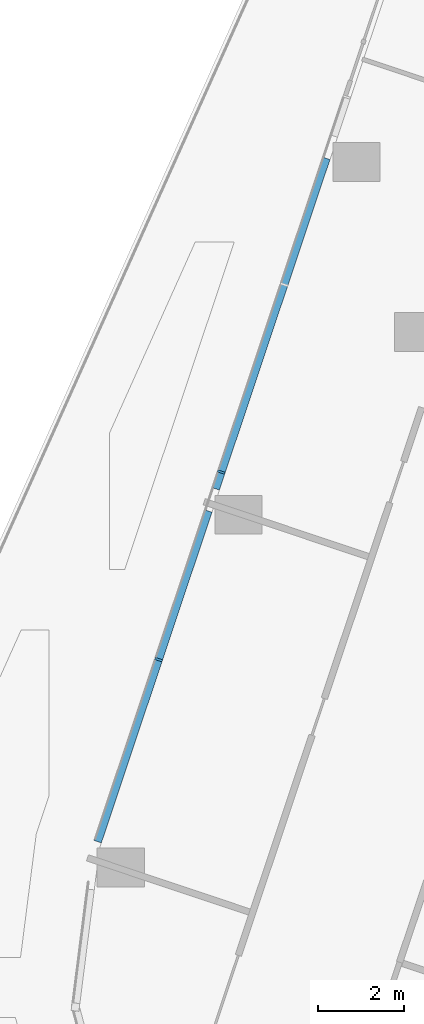
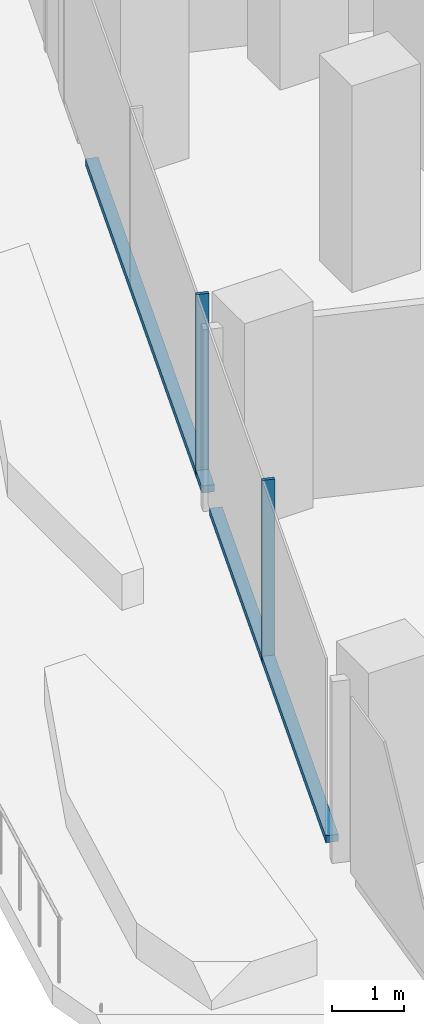
# One storey, part 4 of 34: 4 members, 1 element without a shape of its own.
"""IFC4 building model written with IfcOpenShell, lengths in metres."""

from ifc_helpers import new_model, si_unit, direction, frame, origin, origin_2d, place, context, subcontext, project, spatial, rectangle, extrude, material, material_profile, profile_set, type_object, element, aggregate, save


model = new_model("IFC4")

# Units and contexts
model_context = context("Model", 3, precision=1e-05, world=origin(), true_north=direction((0.0, 1.0)))
body_context = subcontext(model_context, "Body", "Model", "MODEL_VIEW")
ifc_project = project(units=[si_unit("LENGTHUNIT", "METRE"), si_unit("AREAUNIT", "SQUARE_METRE"), si_unit("VOLUMEUNIT", "CUBIC_METRE"), si_unit("PLANEANGLEUNIT", "RADIAN"), si_unit("MASSUNIT", "GRAM", prefix="KILO")], contexts=[model_context])

# Site, building, storey
site_placement = place(None, origin())
site = spatial("IfcSite", under=ifc_project, at=site_placement, CompositionType="ELEMENT")
building_placement = place(site_placement, origin())
building = spatial("IfcBuilding", under=site, at=building_placement, Name="Orlundy Tower", CompositionType="ELEMENT")
storey_placement = place(building_placement, frame((0.0, 0.0, 145.60009765625)))
storey = spatial("IfcBuildingStorey", under=building, at=storey_placement, Name="L37", CompositionType="ELEMENT", Elevation=145.60009765625)

# Curtain wall, members
ifc_material_1 = material(Name="Aluminium bronze anodised", Category="aluminium")
curtain_wall_type = type_object("IfcCurtainWallType", Name="CW1 wall", PredefinedType="NOTDEFINED", material=ifc_material_1)
curtain_wall_placement = place(storey_placement, origin())
curtain_wall = element("IfcCurtainWall", 1, at=curtain_wall_placement, inside=storey, type_object=curtain_wall_type, Name="CW1 run 012", PredefinedType="NOTDEFINED")
ifc_material_2 = material(Name="Aluminium bronze anodised", Category="aluminium")
ifc_material_profile_1 = material_profile(ifc_material_2, rectangle(XDim=0.179931640625, YDim=0.050048828125, at=origin_2d()), Name="CW1 mullion 50x180")
ifc_profile_set_1 = profile_set([ifc_material_profile_1], Name="Aluminium bronze anodised")
member_type_1 = type_object("IfcMemberType", Name="CW1 mullion 50x180", PredefinedType="MULLION", material=ifc_profile_set_1)
member_1_placement = place(storey_placement, frame((-33.46142578125, -36.689697265625, 0.0), z_axis=(0.0, 0.0, 1.0), x_axis=(-0.948326756752, 0.317295386712, 0.0)))
member_1 = element("IfcMember", 2, at=member_1_placement, type_object=member_type_1, Name="CW1 mullion 27", PredefinedType="MULLION", context=body_context, shape_type="SweptSolid", body=[
    extrude(rectangle(XDim=0.179931640625, YDim=0.050048828125, at=origin_2d()), origin(), (0.0, 0.0, 1.0), 3.099853515625),
])
member_2_placement = place(storey_placement, frame((-32.00537109375, -32.338134765625, 0.0), z_axis=(0.0, 0.0, 1.0), x_axis=(-0.948326756752, 0.317295386712, 0.0)))
member_2 = element("IfcMember", 3, at=member_2_placement, type_object=member_type_1, Name="CW1 mullion 28", PredefinedType="MULLION", context=body_context, shape_type="SweptSolid", body=[
    extrude(rectangle(XDim=0.179931640625, YDim=0.050048828125, at=origin_2d()), origin(), (0.0, 0.0, 1.0), 3.099853515625),
])
ifc_material_3 = material(Name="Aluminium bronze anodised", Category="aluminium")
ifc_material_profile_2 = material_profile(ifc_material_3, rectangle(XDim=0.179931640625, YDim=0.1201171875, at=origin_2d()), Name="CW1 transom 180x120")
ifc_profile_set_2 = profile_set([ifc_material_profile_2], Name="Aluminium bronze anodised")
member_type_2 = type_object("IfcMemberType", Name="CW1 transom 180x120", PredefinedType="USERDEFINED", material=ifc_profile_set_2)
member_3_placement = place(storey_placement, frame((-34.875, -40.9150390625, 0.059814453125), z_axis=(0.317277721092, 0.94833266721, 0.0), x_axis=(-0.94833266721, 0.317277721092, 0.0)))
member_3 = element("IfcMember", 4, at=member_3_placement, type_object=member_type_2, Name="CW1 transom", ObjectType="TRANSOM", PredefinedType="USERDEFINED", context=body_context, shape_type="SweptSolid", body=[
    extrude(rectangle(XDim=0.179931640625, YDim=0.1201171875, at=origin_2d()), origin(), (0.0, 0.0, 1.0), 8.09033203125),
])
member_4_placement = place(storey_placement, frame((-32.135009765625, -32.72607421875, 0.059814453125), z_axis=(0.317269039008, 0.948335571877, 0.0), x_axis=(-0.948335571877, 0.317269039008, 0.0)))
member_4 = element("IfcMember", 5, at=member_4_placement, type_object=member_type_2, Name="CW1 transom", ObjectType="TRANSOM", PredefinedType="USERDEFINED", context=body_context, shape_type="SweptSolid", body=[
    extrude(rectangle(XDim=0.179931640625, YDim=0.1201171875, at=origin_2d()), origin(), (0.0, 0.0, 1.0), 8.08740234375),
])
aggregate(curtain_wall, [member_1, member_2, member_3, member_4])

save(model, "model.ifc")
